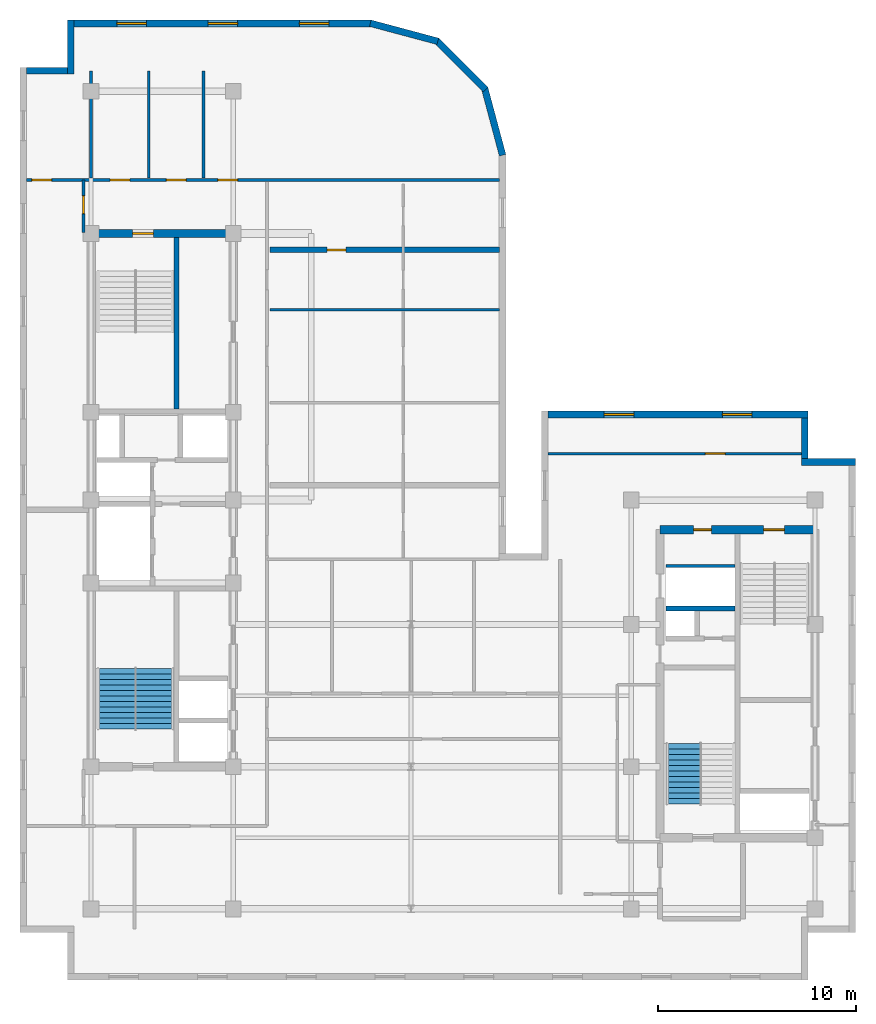
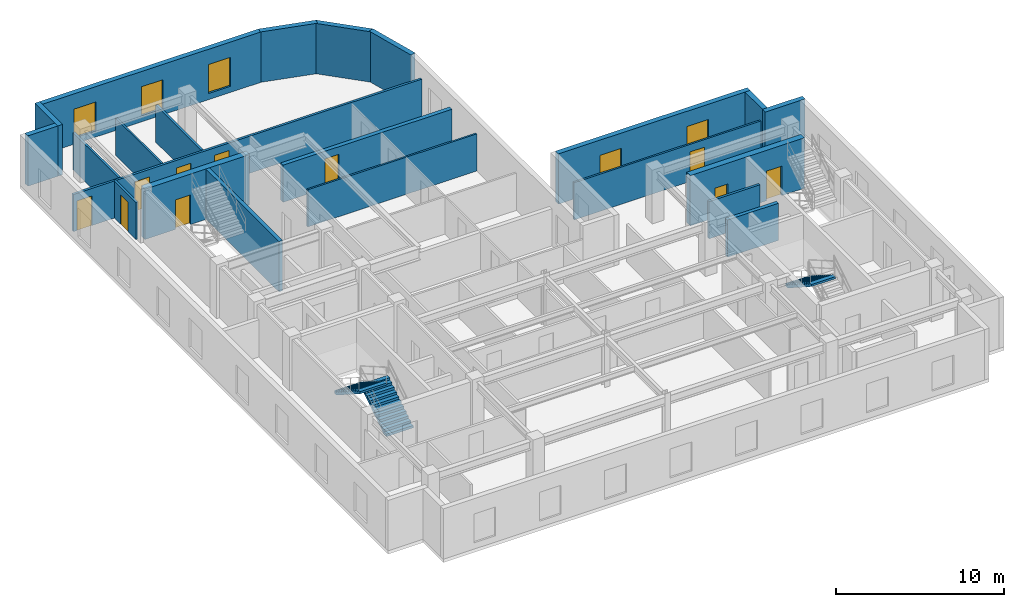
# One storey, part 6 of 10: 22 walls, 10 doors, 5 windows, 3 stair flights, 15 openings, 2 elements without a shape of their own.
"""IFC4 building model written with IfcOpenShell, lengths in metres."""

from ifc_helpers import new_model, entity, si_unit, converted_unit, direction, frame, origin_with_axes, origin_2d_with_axis, place, context, subcontext, project, spatial, polyline, rectangle, outline, extrude, material, layer, layer_set, type_object, element, fill, aggregate, save


model = new_model("IFC4")

# Units and contexts
model_context = context("Model", 3, precision=1e-05, world=origin_with_axes(), true_north=direction((0.0, 1.0)))
body_context = subcontext(model_context, "Body", "Model", "MODEL_VIEW")
ifc_project = project(units=[si_unit("LENGTHUNIT", "METRE"), si_unit("AREAUNIT", "SQUARE_METRE"), si_unit("VOLUMEUNIT", "CUBIC_METRE"), converted_unit("PLANEANGLEUNIT", "DEGREE", entity("IfcPlaneAngleMeasure", 0.017453292519943295), si_unit("PLANEANGLEUNIT", "RADIAN"), dimensions=[0, 0, 0, 0, 0, 0, 0]), si_unit("MASSUNIT", "GRAM", prefix="KILO"), si_unit("THERMODYNAMICTEMPERATUREUNIT", "KELVIN")], contexts=[model_context])

# Site, building, storey
site_placement = place(None, origin_with_axes())
site = spatial("IfcSite", under=ifc_project, at=site_placement, CompositionType="ELEMENT")
building_placement = place(site_placement, origin_with_axes())
building = spatial("IfcBuilding", under=site, at=building_placement, Name="Varnlund Millrace Tower", CompositionType="ELEMENT")
storey_placement = place(building_placement, frame((0.0, 0.0, 264.6), z_axis=(0.0, 0.0, 1.0), x_axis=(1.0, 0.0, 0.0)))
storey = spatial("IfcBuildingStorey", under=building, at=storey_placement, Name="L65", CompositionType="ELEMENT", Elevation=264.6)

# Wall, opening, door
ifc_material_1 = material(Name="Concrete C60/75", Category="concrete")
ifc_layer_1 = layer(ifc_material_1, 0.42, Name="Concrete C60/75")
ifc_layer_set_1 = layer_set([ifc_layer_1], Name="Concrete C60/75")
wall_type_1 = type_object("IfcWallType", Name="Type-CoreWall-Shear-420-C60", PredefinedType="SHEAR", material=ifc_layer_set_1)
wall_1_placement = place(storey_placement, frame((11.4, 37.8, 0.0), z_axis=(0.0, 0.0, 1.0), x_axis=(1.0, 0.0, 0.0)))
wall_1 = element("IfcWall", 1, at=wall_1_placement, inside=storey, type_object=wall_type_1, Name="Type-CoreWall-Shear-420-C60", PredefinedType="SHEAR", context=body_context, shape_type="SweptSolid", body=[
    extrude(outline(polyline([(0.0, -0.21), (7.2, -0.21), (7.2, 0.21), (0.0, 0.21), (0.0, -0.21)])), origin_with_axes(), (0.0, 0.0, 1.0), 3.66),
])
opening_1_placement = place(wall_1_placement, frame((2.625, 0.0, 0.0), z_axis=(0.0, 0.0, 1.0), x_axis=(1.0, 0.0, 0.0)))
opening_1 = element("IfcOpeningElement", 2, at=opening_1_placement, cuts=wall_1, Name="Opening L65:DR-STA2", PredefinedType="OPENING", context=body_context, shape_type="SweptSolid", body=[
    extrude(rectangle(XDim=1.05, YDim=0.44, at=origin_2d_with_axis()), origin_with_axes(), (0.0, 0.0, 1.0), 2.15),
])
ifc_material_2 = material(Name="Fire-rated hollow steel door", Category="steel")
door_type_1 = type_object("IfcDoorType", Name="Type-FireDoor-Stair-1050X2150", OperationType="NOTDEFINED", PredefinedType="DOOR", material=ifc_material_2)
door_1_placement = place(wall_1_placement, frame((2.625, 0.0, 0.0), z_axis=(0.0, 0.0, 1.0), x_axis=(1.0, 0.0, 0.0)))
door_1 = element("IfcDoor", 3, at=door_1_placement, inside=storey, type_object=door_type_1, Name="Type-FireDoor-Stair-1050X2150", OperationType="SINGLE_SWING_RIGHT", OverallHeight=2.15, OverallWidth=1.05, PredefinedType="DOOR", context=body_context, shape_type="SweptSolid", body=[
    extrude(rectangle(XDim=1.05, YDim=0.09, at=origin_2d_with_axis()), origin_with_axes(), (0.0, 0.0, 1.0), 2.15),
])
fill(opening_1, door_1)

# Wall, openings, doors
wall_2_placement = place(storey_placement, frame((40.2, 22.8, 0.0), z_axis=(0.0, 0.0, 1.0), x_axis=(1.0, 0.0, 0.0)))
wall_2 = element("IfcWall", 4, at=wall_2_placement, inside=storey, type_object=wall_type_1, Name="Type-CoreWall-Shear-420-C60", PredefinedType="SHEAR", context=body_context, shape_type="SweptSolid", body=[
    extrude(outline(polyline([(0.0, -0.21), (7.85, -0.21), (7.85, 0.21), (0.0, 0.21), (0.0, -0.21)])), origin_with_axes(), (0.0, 0.0, 1.0), 3.66),
])
opening_2_placement = place(wall_2_placement, frame((5.775, 0.0, 0.0), z_axis=(0.0, 0.0, 1.0), x_axis=(1.0, 0.0, 0.0)))
opening_2 = element("IfcOpeningElement", 5, at=opening_2_placement, cuts=wall_2, Name="Opening L65:DR-STB2", PredefinedType="OPENING", context=body_context, shape_type="SweptSolid", body=[
    extrude(rectangle(XDim=1.05, YDim=0.44, at=origin_2d_with_axis()), origin_with_axes(), (0.0, 0.0, 1.0), 2.15),
])
opening_3_placement = place(wall_2_placement, frame((2.15, 0.0, 0.0), z_axis=(0.0, 0.0, 1.0), x_axis=(1.0, 0.0, 0.0)))
opening_3 = element("IfcOpeningElement", 6, at=opening_3_placement, cuts=wall_2, Name="Opening L65:DR-CB-NW", PredefinedType="OPENING", context=body_context, shape_type="SweptSolid", body=[
    extrude(rectangle(XDim=0.9, YDim=0.44, at=origin_2d_with_axis()), origin_with_axes(), (0.0, 0.0, 1.0), 2.15),
])
ifc_material_3 = material(Name="Fire-rated hollow steel service closet door", Category="steel")
door_type_2 = type_object("IfcDoorType", Name="Type-FireDoor-Closet-900X2150", OperationType="NOTDEFINED", PredefinedType="DOOR", material=ifc_material_3)
door_2_placement = place(wall_2_placement, frame((2.15, 0.0, 0.0), z_axis=(0.0, 0.0, 1.0), x_axis=(1.0, 0.0, 0.0)))
door_2 = element("IfcDoor", 7, at=door_2_placement, inside=storey, type_object=door_type_2, Name="Type-FireDoor-Closet-900X2150", OperationType="SINGLE_SWING_LEFT", OverallHeight=2.15, OverallWidth=0.9, PredefinedType="DOOR", context=body_context, shape_type="SweptSolid", body=[
    extrude(rectangle(XDim=0.9, YDim=0.09, at=origin_2d_with_axis()), origin_with_axes(), (0.0, 0.0, 1.0), 2.15),
])
fill(opening_3, door_2)
door_3_placement = place(wall_2_placement, frame((5.775, 0.0, 0.0), z_axis=(0.0, 0.0, 1.0), x_axis=(1.0, 0.0, 0.0)))
door_3 = element("IfcDoor", 8, at=door_3_placement, inside=storey, type_object=door_type_1, Name="Type-FireDoor-Stair-1050X2150", OperationType="SINGLE_SWING_RIGHT", OverallHeight=2.15, OverallWidth=1.05, PredefinedType="DOOR", context=body_context, shape_type="SweptSolid", body=[
    extrude(rectangle(XDim=1.05, YDim=0.09, at=origin_2d_with_axis()), origin_with_axes(), (0.0, 0.0, 1.0), 2.15),
])
fill(opening_2, door_3)

# Wall, openings, windows
ifc_material_4 = material(Name="Precast concrete C50/60", Category="concrete")
ifc_layer_2 = layer(ifc_material_4, 0.34, Name="Precast concrete C50/60")
ifc_layer_set_2 = layer_set([ifc_layer_2], Name="Precast concrete C50/60")
wall_type_2 = type_object("IfcWallType", Name="Type-ExtWall-Precast-Upper-340", PredefinedType="SOLIDWALL", material=ifc_layer_set_2)
wall_3_placement = place(storey_placement, frame((34.54, 28.63, 0.0), z_axis=(0.0, 0.0, 1.0), x_axis=(1.0, 0.0, 0.0)))
wall_3 = element("IfcWall", 9, at=wall_3_placement, inside=storey, type_object=wall_type_2, Name="Type-ExtWall-Precast-Upper-340", PredefinedType="SOLIDWALL", context=body_context, shape_type="SweptSolid", body=[
    extrude(outline(polyline([(0.0, -0.17), (13.16, -0.17), (13.16, 0.17), (0.0, 0.17), (0.0, -0.17)])), origin_with_axes(), (0.0, 0.0, 1.0), 3.66),
])
opening_4_placement = place(wall_3_placement, frame((3.59, 0.0, 0.45), z_axis=(0.0, 0.0, 1.0), x_axis=(1.0, 0.0, 0.0)))
opening_4 = element("IfcOpeningElement", 10, at=opening_4_placement, cuts=wall_3, Name="Opening L65:WN-02", PredefinedType="OPENING", context=body_context, shape_type="SweptSolid", body=[
    extrude(rectangle(XDim=1.5, YDim=0.36, at=origin_2d_with_axis()), origin_with_axes(), (0.0, 0.0, 1.0), 2.1),
])
opening_5_placement = place(wall_3_placement, frame((9.57, 0.0, 0.45), z_axis=(0.0, 0.0, 1.0), x_axis=(1.0, 0.0, 0.0)))
opening_5 = element("IfcOpeningElement", 11, at=opening_5_placement, cuts=wall_3, Name="Opening L65:WN-03", PredefinedType="OPENING", context=body_context, shape_type="SweptSolid", body=[
    extrude(rectangle(XDim=1.5, YDim=0.36, at=origin_2d_with_axis()), origin_with_axes(), (0.0, 0.0, 1.0), 2.1),
])
ifc_material_5 = material(Name="Argon low-e triple glazing in thermally broken bronze frame", Category="glass")
window_type = type_object("IfcWindowType", Name="Type-Window-Punched-1500X2100", PartitioningType="SINGLE_PANEL", PredefinedType="WINDOW", material=ifc_material_5)
window_1_placement = place(wall_3_placement, frame((3.59, 0.0, 0.45), z_axis=(0.0, 0.0, 1.0), x_axis=(1.0, 0.0, 0.0)))
window_1 = element("IfcWindow", 12, at=window_1_placement, inside=storey, type_object=window_type, Name="Type-Window-Punched-1500X2100", OverallHeight=2.1, OverallWidth=1.5, PredefinedType="WINDOW", context=body_context, shape_type="SweptSolid", body=[
    extrude(rectangle(XDim=1.5, YDim=0.09, at=origin_2d_with_axis()), origin_with_axes(), (0.0, 0.0, 1.0), 2.1),
])
fill(opening_4, window_1)
window_2_placement = place(wall_3_placement, frame((9.57, 0.0, 0.45), z_axis=(0.0, 0.0, 1.0), x_axis=(1.0, 0.0, 0.0)))
window_2 = element("IfcWindow", 13, at=window_2_placement, inside=storey, type_object=window_type, Name="Type-Window-Punched-1500X2100", OverallHeight=2.1, OverallWidth=1.5, PredefinedType="WINDOW", context=body_context, shape_type="SweptSolid", body=[
    extrude(rectangle(XDim=1.5, YDim=0.09, at=origin_2d_with_axis()), origin_with_axes(), (0.0, 0.0, 1.0), 2.1),
])
fill(opening_5, window_2)

# Walls
wall_4_placement = place(storey_placement, frame((47.53, 28.46, 0.0), z_axis=(0.0, 0.0, 1.0), x_axis=(0.0, -1.0, 0.0)))
element("IfcWall", 14, at=wall_4_placement, inside=storey, type_object=wall_type_2, Name="Type-ExtWall-Precast-Upper-340", PredefinedType="SOLIDWALL", context=body_context, shape_type="SweptSolid", body=[
    extrude(outline(polyline([(0.0, -0.17), (2.06, -0.17), (2.06, 0.17), (0.0, 0.17), (0.0, -0.17)])), origin_with_axes(), (0.0, 0.0, 1.0), 3.66),
])
wall_5_placement = place(storey_placement, frame((47.36, 26.23, 0.0), z_axis=(0.0, 0.0, 1.0), x_axis=(1.0, 0.0, 0.0)))
element("IfcWall", 15, at=wall_5_placement, inside=storey, type_object=wall_type_2, Name="Type-ExtWall-Precast-Upper-340", PredefinedType="SOLIDWALL", context=body_context, shape_type="SweptSolid", body=[
    extrude(outline(polyline([(0.0, -0.17), (2.74, -0.17), (2.74, 0.17), (0.0, 0.17), (0.0, -0.17)])), origin_with_axes(), (0.0, 0.0, 1.0), 3.66),
])
wall_6_placement = place(storey_placement, frame((8.14, 46.03, 0.0), z_axis=(0.0, 0.0, 1.0), x_axis=(1.0, 0.0, 0.0)))
element("IfcWall", 16, at=wall_6_placement, inside=storey, type_object=wall_type_2, Name="Type-ExtWall-Precast-Upper-340", PredefinedType="SOLIDWALL", context=body_context, shape_type="SweptSolid", body=[
    extrude(outline(polyline([(0.0, -0.17), (2.06, -0.17), (2.06, 0.17), (0.0, 0.17), (0.0, -0.17)])), origin_with_axes(), (0.0, 0.0, 1.0), 3.66),
])
wall_7_placement = place(storey_placement, frame((10.37, 45.86, 0.0), z_axis=(0.0, 0.0, 1.0), x_axis=(0.0, 1.0, 0.0)))
element("IfcWall", 17, at=wall_7_placement, inside=storey, type_object=wall_type_2, Name="Type-ExtWall-Precast-Upper-340", PredefinedType="SOLIDWALL", context=body_context, shape_type="SweptSolid", body=[
    extrude(outline(polyline([(0.0, -0.17), (2.74, -0.17), (2.74, 0.17), (0.0, 0.17), (0.0, -0.17)])), origin_with_axes(), (0.0, 0.0, 1.0), 3.66),
])

# Wall, openings, windows
wall_8_placement = place(storey_placement, frame((10.54, 48.43, 0.0), z_axis=(0.0, 0.0, 1.0), x_axis=(1.0, 0.0, 0.0)))
wall_8 = element("IfcWall", 18, at=wall_8_placement, inside=storey, type_object=wall_type_2, Name="Type-ExtWall-Precast-Upper-340", PredefinedType="SOLIDWALL", context=body_context, shape_type="SweptSolid", body=[
    extrude(outline(polyline([(0.0, -0.17), (15.06, -0.17), (15.06, 0.17), (0.0, 0.17), (0.0, -0.17)])), origin_with_axes(), (0.0, 0.0, 1.0), 3.66),
])
opening_6_placement = place(wall_8_placement, frame((2.91, 0.0, 0.45), z_axis=(0.0, 0.0, 1.0), x_axis=(1.0, 0.0, 0.0)))
opening_6 = element("IfcOpeningElement", 19, at=opening_6_placement, cuts=wall_8, Name="Opening L65:WN-26", PredefinedType="OPENING", context=body_context, shape_type="SweptSolid", body=[
    extrude(rectangle(XDim=1.5, YDim=0.36, at=origin_2d_with_axis()), origin_with_axes(), (0.0, 0.0, 1.0), 2.1),
])
opening_7_placement = place(wall_8_placement, frame((7.53, 0.0, 0.45), z_axis=(0.0, 0.0, 1.0), x_axis=(1.0, 0.0, 0.0)))
opening_7 = element("IfcOpeningElement", 20, at=opening_7_placement, cuts=wall_8, Name="Opening L65:WN-27", PredefinedType="OPENING", context=body_context, shape_type="SweptSolid", body=[
    extrude(rectangle(XDim=1.5, YDim=0.36, at=origin_2d_with_axis()), origin_with_axes(), (0.0, 0.0, 1.0), 2.1),
])
opening_8_placement = place(wall_8_placement, frame((12.15, 0.0, 0.45), z_axis=(0.0, 0.0, 1.0), x_axis=(1.0, 0.0, 0.0)))
opening_8 = element("IfcOpeningElement", 21, at=opening_8_placement, cuts=wall_8, Name="Opening L65:WN-28", PredefinedType="OPENING", context=body_context, shape_type="SweptSolid", body=[
    extrude(rectangle(XDim=1.5, YDim=0.36, at=origin_2d_with_axis()), origin_with_axes(), (0.0, 0.0, 1.0), 2.1),
])
window_3_placement = place(wall_8_placement, frame((2.91, 0.0, 0.45), z_axis=(0.0, 0.0, 1.0), x_axis=(1.0, 0.0, 0.0)))
window_3 = element("IfcWindow", 22, at=window_3_placement, inside=storey, type_object=window_type, Name="Type-Window-Punched-1500X2100", OverallHeight=2.1, OverallWidth=1.5, PredefinedType="WINDOW", context=body_context, shape_type="SweptSolid", body=[
    extrude(rectangle(XDim=1.5, YDim=0.09, at=origin_2d_with_axis()), origin_with_axes(), (0.0, 0.0, 1.0), 2.1),
])
fill(opening_6, window_3)
window_4_placement = place(wall_8_placement, frame((7.53, 0.0, 0.45), z_axis=(0.0, 0.0, 1.0), x_axis=(1.0, 0.0, 0.0)))
window_4 = element("IfcWindow", 23, at=window_4_placement, inside=storey, type_object=window_type, Name="Type-Window-Punched-1500X2100", OverallHeight=2.1, OverallWidth=1.5, PredefinedType="WINDOW", context=body_context, shape_type="SweptSolid", body=[
    extrude(rectangle(XDim=1.5, YDim=0.09, at=origin_2d_with_axis()), origin_with_axes(), (0.0, 0.0, 1.0), 2.1),
])
fill(opening_7, window_4)
window_5_placement = place(wall_8_placement, frame((12.15, 0.0, 0.45), z_axis=(0.0, 0.0, 1.0), x_axis=(1.0, 0.0, 0.0)))
window_5 = element("IfcWindow", 24, at=window_5_placement, inside=storey, type_object=window_type, Name="Type-Window-Punched-1500X2100", OverallHeight=2.1, OverallWidth=1.5, PredefinedType="WINDOW", context=body_context, shape_type="SweptSolid", body=[
    extrude(rectangle(XDim=1.5, YDim=0.09, at=origin_2d_with_axis()), origin_with_axes(), (0.0, 0.0, 1.0), 2.1),
])
fill(opening_8, window_5)

# Walls
wall_9_placement = place(storey_placement, frame((25.537, 48.441, 0.0), z_axis=(0.0, 0.0, 1.0), x_axis=(0.965934, -0.258788, 0.0)))
element("IfcWall", 25, at=wall_9_placement, inside=storey, type_object=wall_type_2, Name="Type-ExtWall-Precast-Upper-340", PredefinedType="SOLIDWALL", context=body_context, shape_type="SweptSolid", body=[
    extrude(outline(polyline([(0.0, -0.17), (3.539579, -0.17), (3.539579, 0.17), (0.0, 0.17), (0.0, -0.17)])), origin_with_axes(), (0.0, 0.0, 1.0), 3.66),
])
wall_10_placement = place(storey_placement, frame((28.866, 47.583, 0.0), z_axis=(0.0, 0.0, 1.0), x_axis=(0.707107, -0.707107, 0.0)))
element("IfcWall", 26, at=wall_10_placement, inside=storey, type_object=wall_type_2, Name="Type-ExtWall-Precast-Upper-340", PredefinedType="SOLIDWALL", context=body_context, shape_type="SweptSolid", body=[
    extrude(outline(polyline([(0.0, -0.17), (3.539777, -0.17), (3.539777, 0.17), (0.0, 0.17), (0.0, -0.17)])), origin_with_axes(), (0.0, 0.0, 1.0), 3.66),
])
wall_11_placement = place(storey_placement, frame((31.32, 45.175, 0.0), z_axis=(0.0, 0.0, 1.0), x_axis=(0.258788, -0.965934, 0.0)))
element("IfcWall", 27, at=wall_11_placement, inside=storey, type_object=wall_type_2, Name="Type-ExtWall-Precast-Upper-340", PredefinedType="SOLIDWALL", context=body_context, shape_type="SweptSolid", body=[
    extrude(outline(polyline([(0.0, -0.17), (3.539579, -0.17), (3.539579, 0.17), (0.0, 0.17), (0.0, -0.17)])), origin_with_axes(), (0.0, 0.0, 1.0), 3.66),
])

# Wall, opening, door
ifc_material_6 = material(Name="Double-stud STC-60 conference acoustic partition", Category="gypsum")
ifc_layer_3 = layer(ifc_material_6, 0.28, Name="Double-stud STC-60 conference acoustic partition")
ifc_layer_set_3 = layer_set([ifc_layer_3], Name="Double-stud STC-60 conference acoustic partition")
wall_type_3 = type_object("IfcWallType", Name="Type-Partition-Acoustic-280", PredefinedType="PARTITIONING", material=ifc_layer_set_3)
wall_12_placement = place(storey_placement, frame((20.45, 36.964, 0.0), z_axis=(0.0, 0.0, 1.0), x_axis=(1.0, 0.0, 0.0)))
wall_12 = element("IfcWall", 28, at=wall_12_placement, inside=storey, type_object=wall_type_3, Name="Type-Partition-Acoustic-280", PredefinedType="PARTITIONING", context=body_context, shape_type="SweptSolid", body=[
    extrude(outline(polyline([(0.0, -0.14), (11.615, -0.14), (11.615, 0.14), (0.0, 0.14), (0.0, -0.14)])), origin_with_axes(), (0.0, 0.0, 1.0), 2.7),
])
opening_9_placement = place(wall_12_placement, frame((3.375, 0.0, 0.0), z_axis=(0.0, 0.0, 1.0), x_axis=(1.0, 0.0, 0.0)))
opening_9 = element("IfcOpeningElement", 29, at=opening_9_placement, cuts=wall_12, Name="Opening L65:DR-FLR-05", PredefinedType="OPENING", context=body_context, shape_type="SweptSolid", body=[
    extrude(rectangle(XDim=0.95, YDim=0.3, at=origin_2d_with_axis()), origin_with_axes(), (0.0, 0.0, 1.0), 2.15),
])
ifc_material_7 = material(Name="Solid-core acoustic office door")
door_type_3 = type_object("IfcDoorType", Name="Type-IntDoor-Tenant-950X2150", OperationType="NOTDEFINED", PredefinedType="DOOR", material=ifc_material_7)
door_4_placement = place(wall_12_placement, frame((3.375, 0.0, 0.0), z_axis=(0.0, 0.0, 1.0), x_axis=(1.0, 0.0, 0.0)))
door_4 = element("IfcDoor", 30, at=door_4_placement, inside=storey, type_object=door_type_3, Name="Type-IntDoor-Tenant-950X2150", OperationType="SINGLE_SWING_LEFT", OverallHeight=2.15, OverallWidth=0.95, PredefinedType="DOOR", context=body_context, shape_type="SweptSolid", body=[
    extrude(rectangle(XDim=0.95, YDim=0.09, at=origin_2d_with_axis()), origin_with_axes(), (0.0, 0.0, 1.0), 2.15),
])
fill(opening_9, door_4)

# Wall
ifc_material_8 = material(Name="Fire-rated gypsum board on cold-formed steel framing", Category="steel")
ifc_layer_4 = layer(ifc_material_8, 0.16, Name="Fire-rated gypsum board on cold-formed steel framing")
ifc_layer_set_4 = layer_set([ifc_layer_4], Name="Fire-rated gypsum board on cold-formed steel framing")
wall_type_4 = type_object("IfcWallType", Name="Type-Partition-Corridor-160", PredefinedType="PARTITIONING", material=ifc_layer_set_4)
wall_13_placement = place(storey_placement, frame((40.5, 20.96, 0.0), z_axis=(0.0, 0.0, 1.0), x_axis=(1.0, 0.0, 0.0)))
element("IfcWall", 31, at=wall_13_placement, inside=storey, type_object=wall_type_4, Name="Type-Partition-Corridor-160", PredefinedType="PARTITIONING", context=body_context, shape_type="SweptSolid", body=[
    extrude(outline(polyline([(0.0, -0.08), (3.5, -0.08), (3.5, 0.08), (0.0, 0.08), (0.0, -0.08)])), origin_with_axes(), (0.0, 0.0, 1.0), 2.7),
])

# Wall, openings, doors
wall_14_placement = place(storey_placement, frame((8.135, 40.5, 0.0), z_axis=(0.0, 0.0, 1.0), x_axis=(1.0, 0.0, 0.0)))
wall_14 = element("IfcWall", 32, at=wall_14_placement, inside=storey, type_object=wall_type_4, Name="Type-Partition-Corridor-160", PredefinedType="PARTITIONING", context=body_context, shape_type="SweptSolid", body=[
    extrude(outline(polyline([(0.0, -0.08), (23.93, -0.08), (23.93, 0.08), (0.0, 0.08), (0.0, -0.08)])), origin_with_axes(), (0.0, 0.0, 1.0), 2.7),
])
opening_10_placement = place(wall_14_placement, frame((0.76, 0.0, 0.0), z_axis=(0.0, 0.0, 1.0), x_axis=(1.0, 0.0, 0.0)))
opening_10 = element("IfcOpeningElement", 33, at=opening_10_placement, cuts=wall_14, Name="Opening L65:DR-WAN-01", PredefinedType="OPENING", context=body_context, shape_type="SweptSolid", body=[
    extrude(rectangle(XDim=1.0, YDim=0.18, at=origin_2d_with_axis()), origin_with_axes(), (0.0, 0.0, 1.0), 2.15),
])
opening_11_placement = place(wall_14_placement, frame((4.7295, 0.0, 0.0), z_axis=(0.0, 0.0, 1.0), x_axis=(1.0, 0.0, 0.0)))
opening_11 = element("IfcOpeningElement", 34, at=opening_11_placement, cuts=wall_14, Name="Opening L65:DR-WAN-02", PredefinedType="OPENING", context=body_context, shape_type="SweptSolid", body=[
    extrude(rectangle(XDim=1.0, YDim=0.18, at=origin_2d_with_axis()), origin_with_axes(), (0.0, 0.0, 1.0), 2.15),
])
opening_12_placement = place(wall_14_placement, frame((7.5735, 0.0, 0.0), z_axis=(0.0, 0.0, 1.0), x_axis=(1.0, 0.0, 0.0)))
opening_12 = element("IfcOpeningElement", 35, at=opening_12_placement, cuts=wall_14, Name="Opening L65:DR-WAN-03", PredefinedType="OPENING", context=body_context, shape_type="SweptSolid", body=[
    extrude(rectangle(XDim=1.0, YDim=0.18, at=origin_2d_with_axis()), origin_with_axes(), (0.0, 0.0, 1.0), 2.15),
])
opening_13_placement = place(wall_14_placement, frame((10.189, 0.0, 0.0), z_axis=(0.0, 0.0, 1.0), x_axis=(1.0, 0.0, 0.0)))
opening_13 = element("IfcOpeningElement", 36, at=opening_13_placement, cuts=wall_14, Name="Opening L65:DR-WAN-04", PredefinedType="OPENING", context=body_context, shape_type="SweptSolid", body=[
    extrude(rectangle(XDim=1.0, YDim=0.18, at=origin_2d_with_axis()), origin_with_axes(), (0.0, 0.0, 1.0), 2.15),
])
ifc_material_9 = material(Name="Solid-core white oak and bronze frame door")
door_type_4 = type_object("IfcDoorType", Name="Type-IntDoor-Office-1000X2150", OperationType="NOTDEFINED", PredefinedType="DOOR", material=ifc_material_9)
door_5_placement = place(wall_14_placement, frame((0.76, 0.0, 0.0), z_axis=(0.0, 0.0, 1.0), x_axis=(1.0, 0.0, 0.0)))
door_5 = element("IfcDoor", 37, at=door_5_placement, inside=storey, type_object=door_type_4, Name="Type-IntDoor-Office-1000X2150", OperationType="SINGLE_SWING_LEFT", OverallHeight=2.15, OverallWidth=1.0, PredefinedType="DOOR", context=body_context, shape_type="SweptSolid", body=[
    extrude(rectangle(XDim=1.0, YDim=0.09, at=origin_2d_with_axis()), origin_with_axes(), (0.0, 0.0, 1.0), 2.15),
])
fill(opening_10, door_5)
door_6_placement = place(wall_14_placement, frame((4.7295, 0.0, 0.0), z_axis=(0.0, 0.0, 1.0), x_axis=(1.0, 0.0, 0.0)))
door_6 = element("IfcDoor", 38, at=door_6_placement, inside=storey, type_object=door_type_4, Name="Type-IntDoor-Office-1000X2150", OperationType="SINGLE_SWING_RIGHT", OverallHeight=2.15, OverallWidth=1.0, PredefinedType="DOOR", context=body_context, shape_type="SweptSolid", body=[
    extrude(rectangle(XDim=1.0, YDim=0.09, at=origin_2d_with_axis()), origin_with_axes(), (0.0, 0.0, 1.0), 2.15),
])
fill(opening_11, door_6)
door_7_placement = place(wall_14_placement, frame((7.5735, 0.0, 0.0), z_axis=(0.0, 0.0, 1.0), x_axis=(1.0, 0.0, 0.0)))
door_7 = element("IfcDoor", 39, at=door_7_placement, inside=storey, type_object=door_type_4, Name="Type-IntDoor-Office-1000X2150", OperationType="SINGLE_SWING_LEFT", OverallHeight=2.15, OverallWidth=1.0, PredefinedType="DOOR", context=body_context, shape_type="SweptSolid", body=[
    extrude(rectangle(XDim=1.0, YDim=0.09, at=origin_2d_with_axis()), origin_with_axes(), (0.0, 0.0, 1.0), 2.15),
])
fill(opening_12, door_7)
door_8_placement = place(wall_14_placement, frame((10.189, 0.0, 0.0), z_axis=(0.0, 0.0, 1.0), x_axis=(1.0, 0.0, 0.0)))
door_8 = element("IfcDoor", 40, at=door_8_placement, inside=storey, type_object=door_type_4, Name="Type-IntDoor-Office-1000X2150", OperationType="SINGLE_SWING_RIGHT", OverallHeight=2.15, OverallWidth=1.0, PredefinedType="DOOR", context=body_context, shape_type="SweptSolid", body=[
    extrude(rectangle(XDim=1.0, YDim=0.09, at=origin_2d_with_axis()), origin_with_axes(), (0.0, 0.0, 1.0), 2.15),
])
fill(opening_13, door_8)

# Wall, opening, door
wall_15_placement = place(storey_placement, frame((11.02, 37.85, 0.0), z_axis=(0.0, 0.0, 1.0), x_axis=(0.0, 1.0, 0.0)))
wall_15 = element("IfcWall", 41, at=wall_15_placement, inside=storey, type_object=wall_type_4, Name="Type-Partition-Corridor-160", PredefinedType="PARTITIONING", context=body_context, shape_type="SweptSolid", body=[
    extrude(outline(polyline([(0.0, -0.08), (2.65, -0.08), (2.65, 0.08), (0.0, 0.08), (0.0, -0.08)])), origin_with_axes(), (0.0, 0.0, 1.0), 2.7),
])
opening_14_placement = place(wall_15_placement, frame((1.4, 0.0, 0.0), z_axis=(0.0, 0.0, 1.0), x_axis=(1.0, 0.0, 0.0)))
opening_14 = element("IfcOpeningElement", 42, at=opening_14_placement, cuts=wall_15, Name="Opening L65:DR-WU-N1", PredefinedType="OPENING", context=body_context, shape_type="SweptSolid", body=[
    extrude(rectangle(XDim=0.9, YDim=0.18, at=origin_2d_with_axis()), origin_with_axes(), (0.0, 0.0, 1.0), 2.15),
])
ifc_material_10 = material(Name="Painted steel riser and closet door", Category="steel")
door_type_5 = type_object("IfcDoorType", Name="Type-IntDoor-Closet-900X2150", OperationType="NOTDEFINED", PredefinedType="DOOR", material=ifc_material_10)
door_9_placement = place(wall_15_placement, frame((1.4, 0.0, 0.0), z_axis=(0.0, 0.0, 1.0), x_axis=(1.0, 0.0, 0.0)))
door_9 = element("IfcDoor", 43, at=door_9_placement, inside=storey, type_object=door_type_5, Name="Type-IntDoor-Closet-900X2150", OperationType="SINGLE_SWING_RIGHT", OverallHeight=2.15, OverallWidth=0.9, PredefinedType="DOOR", context=body_context, shape_type="SweptSolid", body=[
    extrude(rectangle(XDim=0.9, YDim=0.09, at=origin_2d_with_axis()), origin_with_axes(), (0.0, 0.0, 1.0), 2.15),
])
fill(opening_14, door_9)

# Walls
ifc_material_11 = material(Name="Acoustic STC-50 gypsum board partition", Category="gypsum")
ifc_layer_5 = layer(ifc_material_11, 0.15, Name="Acoustic STC-50 gypsum board partition")
ifc_layer_set_5 = layer_set([ifc_layer_5], Name="Acoustic STC-50 gypsum board partition")
wall_type_5 = type_object("IfcWallType", Name="Type-Partition-Demising-150", PredefinedType="PARTITIONING", material=ifc_layer_set_5)
for number, where, z_axis, x_axis, name in (
    (44, (11.4, 40.6, 0.0), (0.0, 0.0, 1.0), (0.0, 1.0, 0.0), "Type-Partition-Demising-150"),
    (45, (17.088, 40.6, 0.0), (0.0, 0.0, 1.0), (0.0, 1.0, 0.0), "Type-Partition-Demising-150"),
):
    element("IfcWall", number, at=place(storey_placement, frame(where, z_axis=z_axis, x_axis=x_axis)), inside=storey, type_object=wall_type_5, Name=name, PredefinedType="PARTITIONING", context=body_context, shape_type="SweptSolid", body=[
        extrude(outline(polyline([(0.0, -0.075), (5.42, -0.075), (5.42, 0.075), (0.0, 0.075), (0.0, -0.075)])), origin_with_axes(), (0.0, 0.0, 1.0), 2.7),
    ])
ifc_material_12 = material(Name="Gypsum board tenant partition", Category="gypsum")
ifc_layer_6 = layer(ifc_material_12, 0.125, Name="Gypsum board tenant partition")
ifc_layer_set_6 = layer_set([ifc_layer_6], Name="Gypsum board tenant partition")
wall_type_6 = type_object("IfcWallType", Name="Type-Partition-Tenant-125", PredefinedType="PARTITIONING", material=ifc_layer_set_6)
wall_16_placement = place(storey_placement, frame((14.329, 40.6, 0.0), z_axis=(0.0, 0.0, 1.0), x_axis=(0.0, 1.0, 0.0)))
element("IfcWall", 46, at=wall_16_placement, inside=storey, type_object=wall_type_6, Name="Type-Partition-Tenant-125", PredefinedType="PARTITIONING", context=body_context, shape_type="SweptSolid", body=[
    extrude(outline(polyline([(0.0, -0.0625), (5.42, -0.0625), (5.42, 0.0625), (0.0, 0.0625), (0.0, -0.0625)])), origin_with_axes(), (0.0, 0.0, 1.0), 2.7),
])
wall_17_placement = place(storey_placement, frame((20.45, 33.939, 0.0), z_axis=(0.0, 0.0, 1.0), x_axis=(1.0, 0.0, 0.0)))
element("IfcWall", 47, at=wall_17_placement, inside=storey, type_object=wall_type_6, Name="Type-Partition-Tenant-125", PredefinedType="PARTITIONING", context=body_context, shape_type="SweptSolid", body=[
    extrude(outline(polyline([(0.0, -0.0625), (11.615, -0.0625), (11.615, 0.0625), (0.0, 0.0625), (0.0, -0.0625)])), origin_with_axes(), (0.0, 0.0, 1.0), 2.7),
])

# Wall, opening, door
wall_18_placement = place(storey_placement, frame((34.535, 26.65, 0.0), z_axis=(0.0, 0.0, 1.0), x_axis=(1.0, 0.0, 0.0)))
wall_18 = element("IfcWall", 48, at=wall_18_placement, inside=storey, type_object=wall_type_6, Name="Type-Partition-Tenant-125", PredefinedType="PARTITIONING", context=body_context, shape_type="SweptSolid", body=[
    extrude(outline(polyline([(0.0, -0.0625), (12.995, -0.0625), (12.995, 0.0625), (0.0, 0.0625), (0.0, -0.0625)])), origin_with_axes(), (0.0, 0.0, 1.0), 2.7),
])
opening_15_placement = place(wall_18_placement, frame((8.465, 0.0, 0.0), z_axis=(0.0, 0.0, 1.0), x_axis=(1.0, 0.0, 0.0)))
opening_15 = element("IfcOpeningElement", 49, at=opening_15_placement, cuts=wall_18, Name="Opening L65:DR-WBN-01", PredefinedType="OPENING", context=body_context, shape_type="SweptSolid", body=[
    extrude(rectangle(XDim=1.0, YDim=0.145, at=origin_2d_with_axis()), origin_with_axes(), (0.0, 0.0, 1.0), 2.15),
])
door_10_placement = place(wall_18_placement, frame((8.465, 0.0, 0.0), z_axis=(0.0, 0.0, 1.0), x_axis=(1.0, 0.0, 0.0)))
door_10 = element("IfcDoor", 50, at=door_10_placement, inside=storey, type_object=door_type_4, Name="Type-IntDoor-Office-1000X2150", OperationType="SINGLE_SWING_RIGHT", OverallHeight=2.15, OverallWidth=1.0, PredefinedType="DOOR", context=body_context, shape_type="SweptSolid", body=[
    extrude(rectangle(XDim=1.0, YDim=0.075, at=origin_2d_with_axis()), origin_with_axes(), (0.0, 0.0, 1.0), 2.15),
])
fill(opening_15, door_10)

# Walls
ifc_layer_7 = layer(ifc_material_1, 0.25, Name="Concrete C60/75")
ifc_layer_set_7 = layer_set([ifc_layer_7], Name="Concrete C60/75")
wall_type_7 = type_object("IfcWallType", Name="Type-ShaftWall-Fire-250", PredefinedType="SOLIDWALL", material=ifc_layer_set_7)
wall_19_placement = place(storey_placement, frame((40.5, 18.8, 0.0), z_axis=(0.0, 0.0, 1.0), x_axis=(1.0, 0.0, 0.0)))
element("IfcWall", 51, at=wall_19_placement, inside=storey, type_object=wall_type_7, Name="Type-ShaftWall-Fire-250", PredefinedType="SOLIDWALL", context=body_context, shape_type="SweptSolid", body=[
    extrude(outline(polyline([(0.0, -0.125), (3.5, -0.125), (3.5, 0.125), (0.0, 0.125), (0.0, -0.125)])), origin_with_axes(), (0.0, 0.0, 1.0), 2.7),
])
wall_type_8 = type_object("IfcWallType", Name="Type-StairWall-Shear-250", PredefinedType="SHEAR", material=ifc_layer_set_7)
wall_20_placement = place(storey_placement, frame((15.725, 28.9, 0.0), z_axis=(0.0, 0.0, 1.0), x_axis=(0.0, 1.0, 0.0)))
element("IfcWall", 52, at=wall_20_placement, inside=storey, type_object=wall_type_8, Name="Type-StairWall-Shear-250", PredefinedType="SHEAR", context=body_context, shape_type="SweptSolid", body=[
    extrude(outline(polyline([(0.0, -0.125), (8.69, -0.125), (8.69, 0.125), (0.0, 0.125), (0.0, -0.125)])), origin_with_axes(), (0.0, 0.0, 1.0), 3.66),
])

# Stair, stair flight
ifc_material_13 = material(Name="Concrete C50/60", Category="concrete")
stair_type_1 = type_object("IfcStairType", Name="Type-Stair-Dogleg-165-390", PredefinedType="HALF_TURN_STAIR", material=ifc_material_13)
stair_1_placement = place(storey_placement, origin_with_axes())
stair_1 = element("IfcStair", 53, at=stair_1_placement, inside=storey, type_object=stair_type_1, Name="Type-Stair-Dogleg-165-390", PredefinedType="HALF_TURN_STAIR")
stair_flight_type_1 = type_object("IfcStairFlightType", Name="Type-Dogleg-Run-165-390", PredefinedType="STRAIGHT", material=ifc_material_4)
stair_flight_1_placement = place(storey_placement, frame((42.275, 11.98, 1.95), z_axis=(-1.0, 0.0, 0.0), x_axis=(0.0, -1.0, 0.0)))
stair_flight_1 = element("IfcStairFlight", 54, at=stair_flight_1_placement, type_object=stair_flight_type_1, Name="ST-B1 flight 2", NumberOfRisers=11, NumberOfTreads=11, PredefinedType="STRAIGHT", RiserHeight=0.177273, TreadLength=0.28, context=body_context, shape_type="SweptSolid", body=[
    extrude(outline(polyline([(0.0, 0.0), (0.0, 0.177273), (0.28, 0.177273), (0.28, 0.354545), (0.56, 0.354545), (0.56, 0.531818), (0.84, 0.531818), (0.84, 0.709091), (1.12, 0.709091), (1.12, 0.886364), (1.4, 0.886364), (1.4, 1.063636), (1.68, 1.063636), (1.68, 1.240909), (1.96, 1.240909), (1.96, 1.418182), (2.24, 1.418182), (2.24, 1.595454), (2.52, 1.595454), (2.52, 1.772727), (2.8, 1.772727), (2.8, 1.95), (3.08, 1.95), (3.08, 1.8), (0.28, 0.0), (0.0, 0.0)])), origin_with_axes(), (0.0, 0.0, 1.0), 1.65),
])
aggregate(stair_1, [stair_flight_1])

# Stair, stair flights
stair_type_2 = type_object("IfcStairType", Name="Type-Stair-Dogleg-185-390", PredefinedType="HALF_TURN_STAIR", material=ifc_material_13)
stair_2_placement = place(storey_placement, origin_with_axes())
stair_2 = element("IfcStair", 55, at=stair_2_placement, inside=storey, type_object=stair_type_2, Name="Type-Stair-Dogleg-185-390", PredefinedType="HALF_TURN_STAIR")
stair_flight_type_2 = type_object("IfcStairFlightType", Name="Type-Dogleg-Run-185-390", PredefinedType="STRAIGHT", material=ifc_material_4)
stair_flight_2_placement = place(storey_placement, frame((13.625, 12.7, 0.0), z_axis=(1.0, 0.0, 0.0), x_axis=(0.0, 1.0, 0.0)))
stair_flight_2 = element("IfcStairFlight", 56, at=stair_flight_2_placement, type_object=stair_flight_type_2, Name="ST-A1 flight 1", NumberOfRisers=11, NumberOfTreads=11, PredefinedType="STRAIGHT", RiserHeight=0.177273, TreadLength=0.28, context=body_context, shape_type="SweptSolid", body=[
    extrude(outline(polyline([(0.0, 0.0), (0.0, 0.177273), (0.28, 0.177273), (0.28, 0.354545), (0.56, 0.354545), (0.56, 0.531818), (0.84, 0.531818), (0.84, 0.709091), (1.12, 0.709091), (1.12, 0.886364), (1.4, 0.886364), (1.4, 1.063636), (1.68, 1.063636), (1.68, 1.240909), (1.96, 1.240909), (1.96, 1.418182), (2.24, 1.418182), (2.24, 1.595454), (2.52, 1.595454), (2.52, 1.772727), (2.8, 1.772727), (2.8, 1.95), (3.08, 1.95), (3.08, 1.8), (0.28, 0.0), (0.0, 0.0)])), origin_with_axes(), (0.0, 0.0, 1.0), 1.85),
])
stair_flight_3_placement = place(storey_placement, frame((13.675, 15.78, 1.95), z_axis=(-1.0, 0.0, 0.0), x_axis=(0.0, -1.0, 0.0)))
stair_flight_3 = element("IfcStairFlight", 57, at=stair_flight_3_placement, type_object=stair_flight_type_2, Name="ST-A1 flight 2", NumberOfRisers=11, NumberOfTreads=11, PredefinedType="STRAIGHT", RiserHeight=0.177273, TreadLength=0.28, context=body_context, shape_type="SweptSolid", body=[
    extrude(outline(polyline([(0.0, 0.0), (0.0, 0.177273), (0.28, 0.177273), (0.28, 0.354545), (0.56, 0.354545), (0.56, 0.531818), (0.84, 0.531818), (0.84, 0.709091), (1.12, 0.709091), (1.12, 0.886364), (1.4, 0.886364), (1.4, 1.063636), (1.68, 1.063636), (1.68, 1.240909), (1.96, 1.240909), (1.96, 1.418182), (2.24, 1.418182), (2.24, 1.595454), (2.52, 1.595454), (2.52, 1.772727), (2.8, 1.772727), (2.8, 1.95), (3.08, 1.95), (3.08, 1.8), (0.28, 0.0), (0.0, 0.0)])), origin_with_axes(), (0.0, 0.0, 1.0), 1.85),
])
aggregate(stair_2, [stair_flight_2, stair_flight_3])

save(model, "model.ifc")
